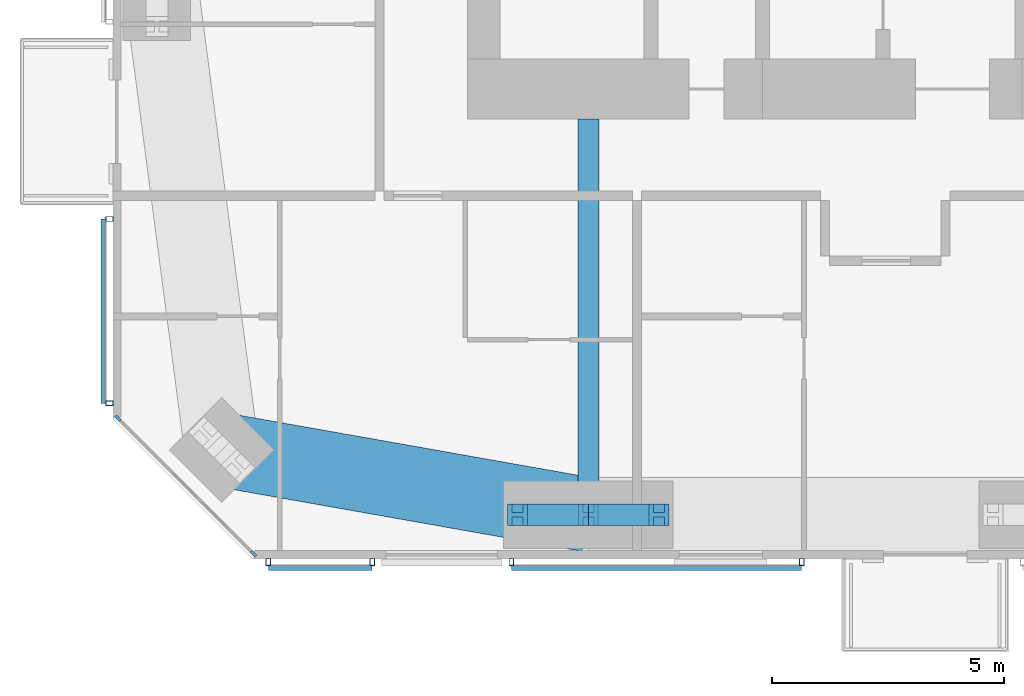
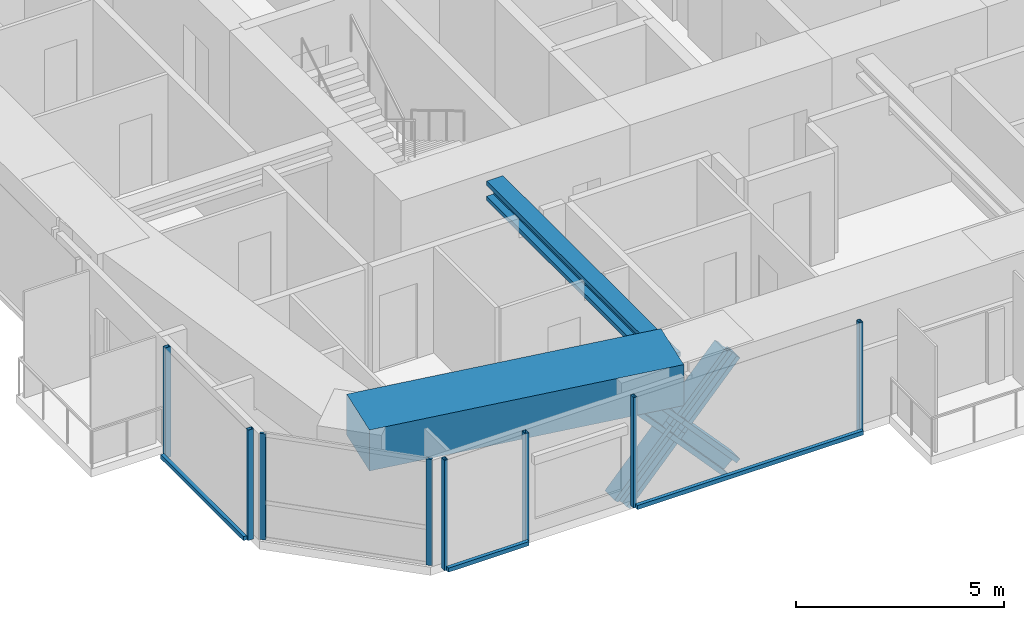
# One storey, part 2 of 23: 15 members, 2 beams, 4 elements without a shape of their own.
"""IFC4 building model written with IfcOpenShell, lengths in metres."""

from ifc_helpers import new_model, si_unit, direction, frame, origin, origin_2d, place, context, subcontext, project, spatial, rectangle, hollow_rectangle, i_section, extrude, material, material_profile, profile_set, type_object, element, aggregate, save


model = new_model("IFC4")

# Units and contexts
model_context = context("Model", 3, precision=1e-05, world=origin(), true_north=direction((0.0, 1.0)))
body_context = subcontext(model_context, "Body", "Model", "MODEL_VIEW")
ifc_project = project(units=[si_unit("LENGTHUNIT", "METRE"), si_unit("AREAUNIT", "SQUARE_METRE"), si_unit("VOLUMEUNIT", "CUBIC_METRE"), si_unit("PLANEANGLEUNIT", "RADIAN"), si_unit("MASSUNIT", "GRAM", prefix="KILO")], contexts=[model_context])

# Site, building, storey
site_placement = place(None, origin())
site = spatial("IfcSite", under=ifc_project, at=site_placement, CompositionType="ELEMENT")
building_placement = place(site_placement, origin())
building = spatial("IfcBuilding", under=site, at=building_placement, Name="Jalousie Tower", CompositionType="ELEMENT")
storey_placement = place(building_placement, frame((0.0, 0.0, 191.199951171875)))
storey = spatial("IfcBuildingStorey", under=building, at=storey_placement, Name="L52", CompositionType="ELEMENT", Elevation=191.199951171875)

# Curtain wall, members
ifc_material_1 = material(Name="Aluminium curtain wall", Category="aluminium")
curtain_wall_type_1 = type_object("IfcCurtainWallType", Name="CORNER WINDOW WALL", PredefinedType="USERDEFINED", material=ifc_material_1)
curtain_wall_1_placement = place(storey_placement, origin())
curtain_wall_1 = element("IfcCurtainWall", 1, at=curtain_wall_1_placement, inside=storey, type_object=curtain_wall_type_1, Name="Corner Window Wall L52 8", ObjectType="CORNER WINDOW WALL", PredefinedType="USERDEFINED")
ifc_material_2 = material(Name="Aluminium mullion", Category="aluminium")
ifc_material_profile_1 = material_profile(ifc_material_2, rectangle(XDim=0.06005859375, YDim=0.14990234375, at=origin_2d()), Name="MULLION 60x150")
ifc_profile_set_1 = profile_set([ifc_material_profile_1], Name="Aluminium mullion")
member_type_1 = type_object("IfcMemberType", Name="CORNER WINDOW WALL MULLION", PredefinedType="MULLION", material=ifc_profile_set_1)
member_1_placement = place(storey_placement, frame((12.108642578125, 3.030029296875, 0.0), z_axis=(0.0, 0.0, 1.0), x_axis=(0.707106781187, 0.707106781187, 0.0)))
member_1 = element("IfcMember", 2, at=member_1_placement, type_object=member_type_1, Name="CW-C mullion 1", PredefinedType="MULLION", context=body_context, shape_type="SweptSolid", body=[
    extrude(rectangle(XDim=0.06005859375, YDim=0.14990234375, at=origin_2d()), origin(), (0.0, 0.0, 1.0), 3.110107421875),
])
member_2_placement = place(storey_placement, frame((15.030029296875, 0.108642578125, 0.0), z_axis=(0.0, 0.0, 1.0), x_axis=(0.707106781187, 0.707106781187, 0.0)))
member_2 = element("IfcMember", 3, at=member_2_placement, type_object=member_type_1, Name="CW-C mullion 2", PredefinedType="MULLION", context=body_context, shape_type="SweptSolid", body=[
    extrude(rectangle(XDim=0.06005859375, YDim=0.14990234375, at=origin_2d()), origin(), (0.0, 0.0, 1.0), 3.110107421875),
])
aggregate(curtain_wall_1, [member_1, member_2])

# Beam
ifc_material_3 = material(Name="Steel ASTM A992 Grade 50", Category="steel")
ifc_material_profile_2 = material_profile(ifc_material_3, i_section(OverallWidth=0.45458984375, OverallDepth=0.569091796875, WebThickness=0.077880859375, FlangeThickness=0.124755859375, at=origin_2d()), Name="W14X730")
ifc_profile_set_2 = profile_set([ifc_material_profile_2], Name="Steel ASTM A992 Grade 50")
beam_type_1 = type_object("IfcBeamType", Name="LEAN COLLECTOR W14X730", PredefinedType="BEAM", material=ifc_profile_set_2)
beam_1_placement = place(storey_placement, frame((22.25, 0.949951171875, 2.825439453125), z_axis=(0.0, 1.0, 0.0), x_axis=(-1.0, 0.0, 0.0)))
element("IfcBeam", 4, at=beam_1_placement, inside=storey, type_object=beam_type_1, Name="Lean collector under L53", PredefinedType="BEAM", context=body_context, shape_type="SweptSolid", body=[
    extrude(i_section(OverallWidth=0.45458984375, OverallDepth=0.569091796875, WebThickness=0.077880859375, FlangeThickness=0.124755859375, at=origin_2d()), origin(), (0.0, 0.0, 1.0), 8.525146484375),
])

# Members
ifc_material_4 = material(Name="Steel ASTM A992 Grade 50", Category="steel")
ifc_material_profile_3 = material_profile(ifc_material_4, i_section(OverallWidth=0.472412109375, OverallDepth=0.5791015625, WebThickness=0.094970703125, FlangeThickness=0.1298828125, at=origin_2d()), Name="W14X808")
ifc_profile_set_3 = profile_set([ifc_material_profile_3], Name="Steel ASTM A992 Grade 50")
member_type_2 = type_object("IfcMemberType", Name="PERIMETER BRACE W14X808", PredefinedType="BRACE", material=ifc_profile_set_3)
for number, where, z_axis, x_axis, name in (
    (5, (20.72509765625, 0.949951171875, -0.599853515625), (0.673241284601, 0.0, 0.739422864611), (0.0, 1.0, 0.0), "Perimeter brace 02 L52 part 1"),
    (6, (22.25, 0.949951171875, 1.074951171875), (0.673187629365, 0.0, 0.739471713908), (0.0, 1.0, 0.0), "Perimeter brace 02 L52 part 2"),
    (7, (23.77490234375, 0.949951171875, -0.599853515625), (-0.673241284601, 0.0, 0.739422864611), (0.0, -1.0, 0.0), "Perimeter brace 02 L52 part 3"),
    (8, (22.25, 0.949951171875, 1.074951171875), (-0.673187629365, 0.0, 0.739471713908), (0.0, -1.0, 0.0), "Perimeter brace 02 L52 part 4"),
):
    element("IfcMember", number, at=place(storey_placement, frame(where, z_axis=z_axis, x_axis=x_axis)), inside=storey, type_object=member_type_2, Name=name, PredefinedType="BRACE", context=body_context, shape_type="SweptSolid", body=[
        extrude(i_section(OverallWidth=0.472412109375, OverallDepth=0.5791015625, WebThickness=0.094970703125, FlangeThickness=0.1298828125, at=origin_2d()), origin(), (0.0, 0.0, 1.0), 2.26513671875),
    ])

# Beam
ifc_material_5 = material(Name="Concrete f'c 40 MPa", Category="concrete")
ifc_material_profile_4 = material_profile(ifc_material_5, rectangle(XDim=1.60009765625, YDim=1.199951171875, at=origin_2d()), Name="RC 1600x1200")
ifc_profile_set_4 = profile_set([ifc_material_profile_4], Name="Concrete f'c 40 MPa")
beam_type_2 = type_object("IfcBeamType", Name="RC BEAM 1600x1200", PredefinedType="BEAM", material=ifc_profile_set_4)
beam_2_placement = place(storey_placement, frame((14.348388671875, 2.348388671875, 2.75), z_axis=(0.984697370688, -0.174273027632, 0.0), x_axis=(0.174273027632, 0.984697370688, 0.0)))
element("IfcBeam", 9, at=beam_2_placement, inside=storey, type_object=beam_type_2, Name="Edge band beam 01-02 under L53", PredefinedType="BEAM", context=body_context, shape_type="SweptSolid", body=[
    extrude(rectangle(XDim=1.60009765625, YDim=1.199951171875, at=origin_2d()), origin(), (0.0, 0.0, 1.0), 8.0244140625),
])

# Curtain wall, members
ifc_material_6 = material(Name="Perforated aluminium sheet", Category="aluminium")
curtain_wall_type_2 = type_object("IfcCurtainWallType", Name="SOLAR SCREEN SS-1", PredefinedType="USERDEFINED", material=ifc_material_6)
curtain_wall_2_placement = place(storey_placement, origin())
curtain_wall_2 = element("IfcCurtainWall", 10, at=curtain_wall_2_placement, inside=storey, type_object=curtain_wall_type_2, Name="Solar screen L52", ObjectType="SOLAR SCREEN SS-1", PredefinedType="USERDEFINED")
ifc_material_7 = material(Name="Steel ASTM A500 Grade C", Category="steel")
ifc_material_profile_5 = material_profile(ifc_material_7, hollow_rectangle(XDim=0.1015625, YDim=0.15234375, WallThickness=0.00634765625, at=origin_2d()), Name="HSS6X4X1/4")
ifc_profile_set_5 = profile_set([ifc_material_profile_5], Name="Steel ASTM A500 Grade C")
member_type_3 = type_object("IfcMemberType", Name="SOLAR SCREEN SS-1 MULLION", PredefinedType="MULLION", material=ifc_profile_set_5)
member_3_placement = place(storey_placement, frame((15.351318359375, -0.0712890625, -0.119873046875), z_axis=(0.0, 0.0, 1.0), x_axis=(1.0, 0.0, 0.0)))
member_3 = element("IfcMember", 11, at=member_3_placement, type_object=member_type_3, Name="SS1 post 1", PredefinedType="MULLION", context=body_context, shape_type="SweptSolid", body=[
    extrude(hollow_rectangle(XDim=0.1015625, YDim=0.15234375, WallThickness=0.00634765625, at=origin_2d()), origin(), (0.0, 0.0, 1.0), 3.22998046875),
])
member_4_placement = place(storey_placement, frame((17.59130859375, -0.0712890625, -0.119873046875), z_axis=(0.0, 0.0, 1.0), x_axis=(1.0, 0.0, 0.0)))
member_4 = element("IfcMember", 12, at=member_4_placement, type_object=member_type_3, Name="SS1 post 2", PredefinedType="MULLION", context=body_context, shape_type="SweptSolid", body=[
    extrude(hollow_rectangle(XDim=0.1015625, YDim=0.15234375, WallThickness=0.00634765625, at=origin_2d()), origin(), (0.0, 0.0, 1.0), 3.22998046875),
])

curtain_wall_3_placement = place(storey_placement, origin())
curtain_wall_3 = element("IfcCurtainWall", 13, at=curtain_wall_3_placement, inside=storey, type_object=curtain_wall_type_2, Name="Solar screen L52", ObjectType="SOLAR SCREEN SS-1", PredefinedType="USERDEFINED")
member_5_placement = place(storey_placement, frame((20.59130859375, -0.0712890625, -0.119873046875), z_axis=(0.0, 0.0, 1.0), x_axis=(1.0, 0.0, 0.0)))
member_5 = element("IfcMember", 14, at=member_5_placement, type_object=member_type_3, Name="SS1 post 1", PredefinedType="MULLION", context=body_context, shape_type="SweptSolid", body=[
    extrude(hollow_rectangle(XDim=0.1015625, YDim=0.15234375, WallThickness=0.00634765625, at=origin_2d()), origin(), (0.0, 0.0, 1.0), 3.22998046875),
])
member_6_placement = place(storey_placement, frame((26.85009765625, -0.0712890625, -0.119873046875), z_axis=(0.0, 0.0, 1.0), x_axis=(1.0, 0.0, 0.0)))
member_6 = element("IfcMember", 15, at=member_6_placement, type_object=member_type_3, Name="SS1 post 2", PredefinedType="MULLION", context=body_context, shape_type="SweptSolid", body=[
    extrude(hollow_rectangle(XDim=0.1015625, YDim=0.15234375, WallThickness=0.00634765625, at=origin_2d()), origin(), (0.0, 0.0, 1.0), 3.22998046875),
])

curtain_wall_4_placement = place(storey_placement, origin())
curtain_wall_4 = element("IfcCurtainWall", 16, at=curtain_wall_4_placement, inside=storey, type_object=curtain_wall_type_2, Name="Solar screen L52", ObjectType="SOLAR SCREEN SS-1", PredefinedType="USERDEFINED")
member_7_placement = place(storey_placement, frame((11.9287109375, 7.324951171875, -0.119873046875), z_axis=(0.0, 0.0, 1.0), x_axis=(0.0, -1.0, 0.0)))
member_7 = element("IfcMember", 17, at=member_7_placement, type_object=member_type_3, Name="SS1 post 1", PredefinedType="MULLION", context=body_context, shape_type="SweptSolid", body=[
    extrude(hollow_rectangle(XDim=0.1015625, YDim=0.15234375, WallThickness=0.00634765625, at=origin_2d()), origin(), (0.0, 0.0, 1.0), 3.22998046875),
])
member_8_placement = place(storey_placement, frame((11.9287109375, 3.351318359375, -0.119873046875), z_axis=(0.0, 0.0, 1.0), x_axis=(0.0, -1.0, 0.0)))
member_8 = element("IfcMember", 18, at=member_8_placement, type_object=member_type_3, Name="SS1 post 2", PredefinedType="MULLION", context=body_context, shape_type="SweptSolid", body=[
    extrude(hollow_rectangle(XDim=0.1015625, YDim=0.15234375, WallThickness=0.00634765625, at=origin_2d()), origin(), (0.0, 0.0, 1.0), 3.22998046875),
])

# Member
ifc_material_8 = material(Name="Extruded aluminium screen rail", Category="aluminium")
ifc_material_profile_6 = material_profile(ifc_material_8, rectangle(XDim=0.1015625, YDim=0.1201171875, at=origin_2d()), Name="RAIL 102x120")
ifc_profile_set_6 = profile_set([ifc_material_profile_6], Name="Extruded aluminium screen rail")
member_type_4 = type_object("IfcMemberType", Name="SOLAR SCREEN SS-1 TRANSOM", PredefinedType="USERDEFINED", material=ifc_profile_set_6)
member_9_placement = place(storey_placement, frame((15.351318359375, -0.1982421875, -0.06005859375), z_axis=(1.0, 0.0, 0.0), x_axis=(0.0, 1.0, 0.0)))
member_9 = element("IfcMember", 19, at=member_9_placement, type_object=member_type_4, Name="SS1 rail", ObjectType="TRANSOM", PredefinedType="USERDEFINED", context=body_context, shape_type="SweptSolid", body=[
    extrude(rectangle(XDim=0.1015625, YDim=0.1201171875, at=origin_2d()), origin(), (0.0, 0.0, 1.0), 2.239990234375),
])

aggregate(curtain_wall_2, [member_3, member_4, member_9])

member_10_placement = place(storey_placement, frame((20.59130859375, -0.1982421875, -0.06005859375), z_axis=(1.0, 0.0, 0.0), x_axis=(0.0, 1.0, 0.0)))
member_10 = element("IfcMember", 20, at=member_10_placement, type_object=member_type_4, Name="SS1 rail", ObjectType="TRANSOM", PredefinedType="USERDEFINED", context=body_context, shape_type="SweptSolid", body=[
    extrude(rectangle(XDim=0.1015625, YDim=0.1201171875, at=origin_2d()), origin(), (0.0, 0.0, 1.0), 6.2587890625),
])

aggregate(curtain_wall_3, [member_5, member_6, member_10])

member_11_placement = place(storey_placement, frame((11.8017578125, 7.324951171875, -0.06005859375), z_axis=(0.0, -1.0, 0.0), x_axis=(1.0, 0.0, 0.0)))
member_11 = element("IfcMember", 21, at=member_11_placement, type_object=member_type_4, Name="SS1 rail", ObjectType="TRANSOM", PredefinedType="USERDEFINED", context=body_context, shape_type="SweptSolid", body=[
    extrude(rectangle(XDim=0.1015625, YDim=0.1201171875, at=origin_2d()), origin(), (0.0, 0.0, 1.0), 3.9736328125),
])

aggregate(curtain_wall_4, [member_7, member_8, member_11])

save(model, "model.ifc")
